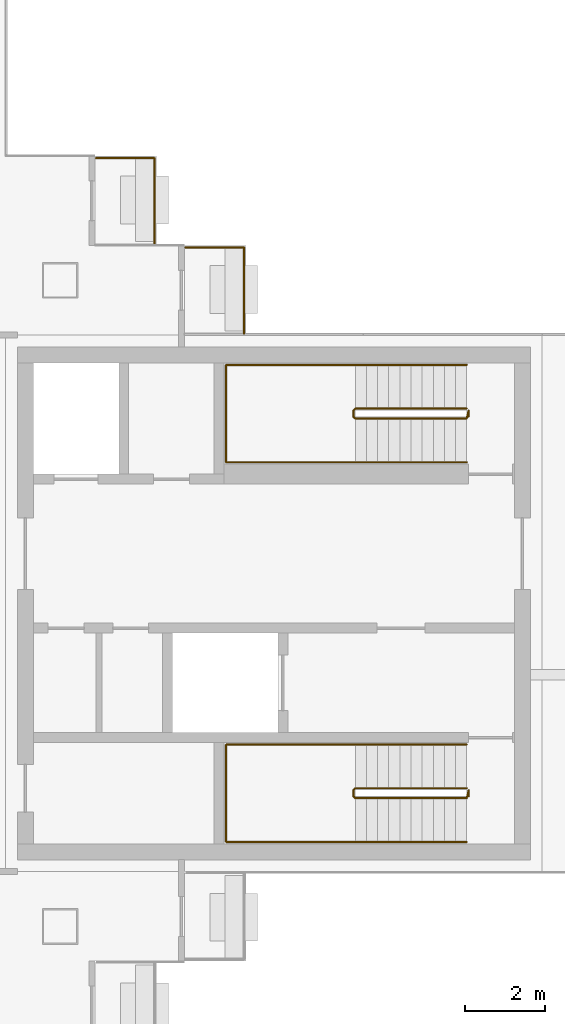
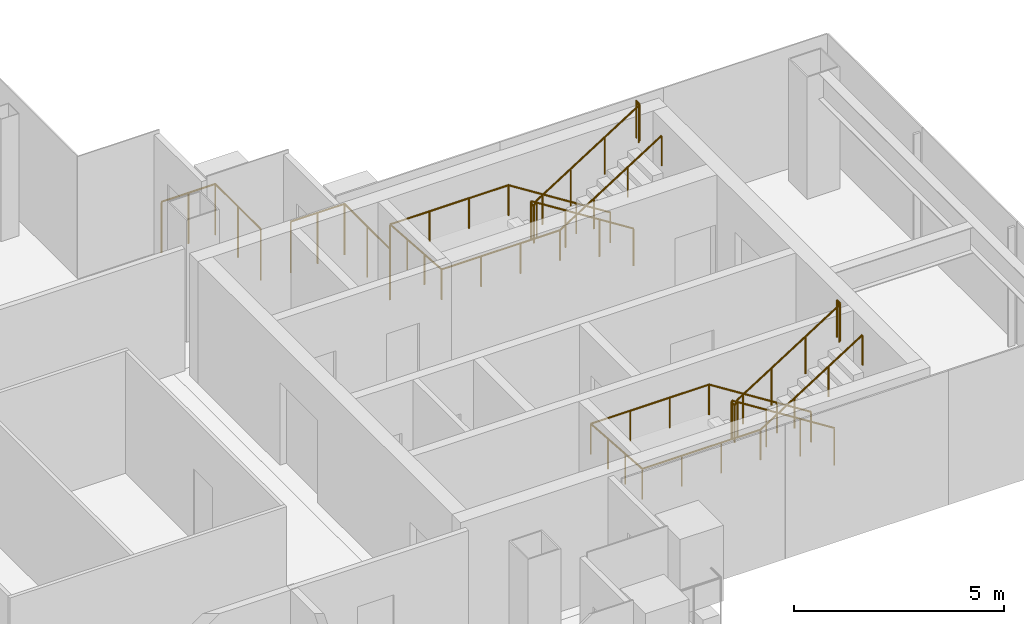
# One storey, part 15 of 16: 6 railings.
"""IFC4 building model written with IfcOpenShell, lengths in metres."""

from ifc_helpers import new_model, si_unit, direction, frame, origin, origin_2d, place, context, subcontext, project, spatial, circle, extrude, material, type_object, element, save


model = new_model("IFC4")

# Units and contexts
model_context = context("Model", 3, precision=1e-05, world=origin(), true_north=direction((0.0, 1.0)))
body_context = subcontext(model_context, "Body", "Model", "MODEL_VIEW")
ifc_project = project(units=[si_unit("LENGTHUNIT", "METRE"), si_unit("AREAUNIT", "SQUARE_METRE"), si_unit("VOLUMEUNIT", "CUBIC_METRE"), si_unit("PLANEANGLEUNIT", "RADIAN"), si_unit("MASSUNIT", "GRAM", prefix="KILO")], contexts=[model_context])

# Site, building, storey
site_placement = place(None, origin())
site = spatial("IfcSite", under=ifc_project, at=site_placement, CompositionType="ELEMENT")
building_placement = place(site_placement, origin())
building = spatial("IfcBuilding", under=site, at=building_placement, Name="Shamsa Quay Exchange Towers", CompositionType="ELEMENT")
storey_placement = place(building_placement, frame((0.0, 0.0, 242.10009765625)))
storey = spatial("IfcBuildingStorey", under=building, at=storey_placement, Name="L58", CompositionType="ELEMENT", Elevation=242.10009765625)

# Railings
ifc_material_1 = material(Name="Steel S355, black powder-coated", Category="steel")
railing_type_1 = type_object("IfcRailingType", Name="BALCONY GUARD 1500", PredefinedType="GUARDRAIL", material=ifc_material_1)
for number, where, name in (
    (1, (44.25, 9.0380859375, 0.0), "Balcony guard T2-PKES L58"),
    (2, (46.5, 6.7880859375, 0.0), "Balcony guard T2-PKES L58"),
):
    element("IfcRailing", number, at=place(storey_placement, frame(where)), inside=storey, type_object=railing_type_1, Name=name, PredefinedType="GUARDRAIL", context=body_context, shape_type="SweptSolid", body=[
        extrude(circle(Radius=0.02392578125, at=origin_2d()), frame((0.0, 0.0, 1.47607421875), z_axis=(0.0, 1.0, 0.0), x_axis=(-1.0, 0.0, 0.0)), (0.0, 0.0, 1.0), 2.161865234375),
        extrude(circle(Radius=0.02392578125, at=origin_2d()), frame((0.0, 2.161865234375, 1.47607421875), z_axis=(-1.0, 0.0, 0.0), x_axis=(0.0, -1.0, 0.0)), (0.0, 0.0, 1.0), 1.47900390625),
        extrude(circle(Radius=0.02099609375, at=origin_2d()), origin(), (0.0, 0.0, 1.0), 1.451904296875),
        extrude(circle(Radius=0.02099609375, at=origin_2d()), frame((0.0, 1.0810546875, 0.0)), (0.0, 0.0, 1.0), 1.451904296875),
        extrude(circle(Radius=0.02099609375, at=origin_2d()), frame((0.0, 2.161865234375, 0.0)), (0.0, 0.0, 1.0), 1.451904296875),
        extrude(circle(Radius=0.02099609375, at=origin_2d()), frame((-0.739501953125, 2.161865234375, 0.0)), (0.0, 0.0, 1.0), 1.451904296875),
        extrude(circle(Radius=0.02099609375, at=origin_2d()), frame((-1.47900390625, 2.161865234375, 0.0)), (0.0, 0.0, 1.0), 1.451904296875),
    ])
ifc_material_2 = material(Name="Stainless steel", Category="steel")
railing_type_2 = type_object("IfcRailingType", Name="STAIR GUARD 1100", PredefinedType="GUARDRAIL", material=ifc_material_2)
railing_1_placement = place(storey_placement, frame((52.10009765625, -4.64990234375, 0.17724609375)))
element("IfcRailing", 3, at=railing_1_placement, inside=storey, type_object=railing_type_2, Name="L58 ST5 stair guard 1", PredefinedType="GUARDRAIL", context=body_context, shape_type="SweptSolid", body=[
    extrude(circle(Radius=0.02392578125, at=origin_2d()), frame((0.0, 0.0, 1.076171875), z_axis=(-0.844908973607, 0.0, 0.534910110503), x_axis=(0.0, -1.0, 0.0)), (0.0, 0.0, 1.0), 3.31396484375),
    extrude(circle(Radius=0.02392578125, at=origin_2d()), frame((-2.800048828125, 0.0, 2.8486328125), z_axis=(-0.707106781187, -0.707106781187, 0.0), x_axis=(0.707106781187, -0.707106781187, 0.0)), (0.0, 0.0, 1.0), 0.07080078125),
    extrude(circle(Radius=0.02392578125, at=origin_2d()), frame((-2.85009765625, -0.050048828125, 2.8486328125), z_axis=(0.0, -1.0, 0.0), x_axis=(1.0, 0.0, 0.0)), (0.0, 0.0, 1.0), 0.150146484375),
    extrude(circle(Radius=0.02392578125, at=origin_2d()), frame((-2.85009765625, -0.2001953125, 2.8486328125), z_axis=(0.262321481514, -0.261041864531, 0.929001929653), x_axis=(0.705375805398, 0.708833529934, 0.0)), (0.0, 0.0, 1.0), 0.190673828125),
    extrude(circle(Radius=0.02392578125, at=origin_2d()), frame((-2.800048828125, -0.25, 3.02587890625), z_axis=(0.844908973607, 0.0, 0.534910110503), x_axis=(0.0, 1.0, 0.0)), (0.0, 0.0, 1.0), 3.31396484375),
    extrude(circle(Radius=0.02392578125, at=origin_2d()), frame((0.0, -0.25, 4.798828125), z_axis=(0.241699205484, 0.970351222016, 0.0), x_axis=(-0.970351222016, 0.241699205484, 0.0)), (0.0, 0.0, 1.0), 0.2060546875),
    extrude(circle(Radius=0.02392578125, at=origin_2d()), frame((0.0498046875, -0.050048828125, 4.798828125), z_axis=(0.0, -1.0, 0.0), x_axis=(1.0, 0.0, 0.0)), (0.0, 0.0, 1.0), 0.150146484375),
    extrude(circle(Radius=0.02099609375, at=origin_2d()), origin(), (0.0, 0.0, 1.0), 1.052001953125),
    extrude(circle(Radius=0.02099609375, at=origin_2d()), frame((-0.933349609375, 0.0, 0.5908203125)), (0.0, 0.0, 1.0), 1.052001953125),
    extrude(circle(Radius=0.02099609375, at=origin_2d()), frame((-1.86669921875, 0.0, 1.181884765625)), (0.0, 0.0, 1.0), 1.052001953125),
    extrude(circle(Radius=0.02099609375, at=origin_2d()), frame((-2.800048828125, 0.0, 1.772705078125)), (0.0, 0.0, 1.0), 1.052001953125),
    extrude(circle(Radius=0.02099609375, at=origin_2d()), frame((-2.85009765625, -0.050048828125, 1.772705078125)), (0.0, 0.0, 1.0), 1.052001953125),
    extrude(circle(Radius=0.02099609375, at=origin_2d()), frame((-2.85009765625, -0.2001953125, 1.772705078125)), (0.0, 0.0, 1.0), 1.052001953125),
    extrude(circle(Radius=0.02099609375, at=origin_2d()), frame((-2.800048828125, -0.25, 1.949951171875)), (0.0, 0.0, 1.0), 1.052001953125),
    extrude(circle(Radius=0.02099609375, at=origin_2d()), frame((-1.86669921875, -0.25, 2.540771484375)), (0.0, 0.0, 1.0), 1.052001953125),
    extrude(circle(Radius=0.02099609375, at=origin_2d()), frame((-0.933349609375, -0.25, 3.1318359375)), (0.0, 0.0, 1.0), 1.052001953125),
    extrude(circle(Radius=0.02099609375, at=origin_2d()), frame((0.0, -0.25, 3.72265625)), (0.0, 0.0, 1.0), 1.052001953125),
    extrude(circle(Radius=0.02099609375, at=origin_2d()), frame((0.0498046875, -0.050048828125, 3.72265625)), (0.0, 0.0, 1.0), 1.052001953125),
    extrude(circle(Radius=0.02099609375, at=origin_2d()), frame((0.0498046875, -0.2001953125, 3.72265625)), (0.0, 0.0, 1.0), 1.052001953125),
])
railing_2_placement = place(storey_placement, frame((52.10009765625, 4.89990234375, 0.17724609375)))
element("IfcRailing", 4, at=railing_2_placement, inside=storey, type_object=railing_type_2, Name="L58 ST6 stair guard 1", PredefinedType="GUARDRAIL", context=body_context, shape_type="SweptSolid", body=[
    extrude(circle(Radius=0.02392578125, at=origin_2d()), frame((0.0, 0.0, 1.076171875), z_axis=(-0.844908973607, 0.0, 0.534910110503), x_axis=(0.0, -1.0, 0.0)), (0.0, 0.0, 1.0), 3.31396484375),
    extrude(circle(Radius=0.02392578125, at=origin_2d()), frame((-2.800048828125, 0.0, 2.8486328125), z_axis=(-0.708833529934, -0.705375805398, 0.0), x_axis=(0.705375805398, -0.708833529934, 0.0)), (0.0, 0.0, 1.0), 0.070556640625),
    extrude(circle(Radius=0.02392578125, at=origin_2d()), frame((-2.85009765625, -0.0498046875, 2.8486328125), z_axis=(0.0, -1.0, 0.0), x_axis=(1.0, 0.0, 0.0)), (0.0, 0.0, 1.0), 0.150146484375),
    extrude(circle(Radius=0.02392578125, at=origin_2d()), frame((-2.85009765625, -0.199951171875, 2.8486328125), z_axis=(0.262233686654, -0.262233686654, 0.928691007369), x_axis=(0.707106781187, 0.707106781187, 0.0)), (0.0, 0.0, 1.0), 0.19091796875),
    extrude(circle(Radius=0.02392578125, at=origin_2d()), frame((-2.800048828125, -0.25, 3.02587890625), z_axis=(0.844908973607, 0.0, 0.534910110503), x_axis=(0.0, 1.0, 0.0)), (0.0, 0.0, 1.0), 3.31396484375),
    extrude(circle(Radius=0.02392578125, at=origin_2d()), frame((0.0, -0.25, 4.798828125), z_axis=(0.24142163986, 0.970420317083, 0.0), x_axis=(-0.970420317083, 0.24142163986, 0.0)), (0.0, 0.0, 1.0), 0.206298828125),
    extrude(circle(Radius=0.02392578125, at=origin_2d()), frame((0.0498046875, -0.0498046875, 4.798828125), z_axis=(0.0, -1.0, 0.0), x_axis=(1.0, 0.0, 0.0)), (0.0, 0.0, 1.0), 0.150146484375),
    extrude(circle(Radius=0.02099609375, at=origin_2d()), origin(), (0.0, 0.0, 1.0), 1.052001953125),
    extrude(circle(Radius=0.02099609375, at=origin_2d()), frame((-0.933349609375, 0.0, 0.5908203125)), (0.0, 0.0, 1.0), 1.052001953125),
    extrude(circle(Radius=0.02099609375, at=origin_2d()), frame((-1.86669921875, 0.0, 1.181884765625)), (0.0, 0.0, 1.0), 1.052001953125),
    extrude(circle(Radius=0.02099609375, at=origin_2d()), frame((-2.800048828125, 0.0, 1.772705078125)), (0.0, 0.0, 1.0), 1.052001953125),
    extrude(circle(Radius=0.02099609375, at=origin_2d()), frame((-2.85009765625, -0.0498046875, 1.772705078125)), (0.0, 0.0, 1.0), 1.052001953125),
    extrude(circle(Radius=0.02099609375, at=origin_2d()), frame((-2.85009765625, -0.199951171875, 1.772705078125)), (0.0, 0.0, 1.0), 1.052001953125),
    extrude(circle(Radius=0.02099609375, at=origin_2d()), frame((-2.800048828125, -0.25, 1.949951171875)), (0.0, 0.0, 1.0), 1.052001953125),
    extrude(circle(Radius=0.02099609375, at=origin_2d()), frame((-1.86669921875, -0.25, 2.540771484375)), (0.0, 0.0, 1.0), 1.052001953125),
    extrude(circle(Radius=0.02099609375, at=origin_2d()), frame((-0.933349609375, -0.25, 3.1318359375)), (0.0, 0.0, 1.0), 1.052001953125),
    extrude(circle(Radius=0.02099609375, at=origin_2d()), frame((0.0, -0.25, 3.72265625)), (0.0, 0.0, 1.0), 1.052001953125),
    extrude(circle(Radius=0.02099609375, at=origin_2d()), frame((0.0498046875, -0.0498046875, 3.72265625)), (0.0, 0.0, 1.0), 1.052001953125),
    extrude(circle(Radius=0.02099609375, at=origin_2d()), frame((0.0498046875, -0.199951171875, 3.72265625)), (0.0, 0.0, 1.0), 1.052001953125),
])
railing_type_3 = type_object("IfcRailingType", Name="STAIR HANDRAIL 900", PredefinedType="HANDRAIL", material=ifc_material_2)
railing_3_placement = place(storey_placement, frame((52.10009765625, -3.550048828125, 0.17724609375)))
element("IfcRailing", 5, at=railing_3_placement, inside=storey, type_object=railing_type_3, Name="L58 ST5 stair handrail 1", PredefinedType="HANDRAIL", context=body_context, shape_type="SweptSolid", body=[
    extrude(circle(Radius=0.02392578125, at=origin_2d()), frame((0.0, 0.0, 0.8759765625), z_axis=(-0.844908973607, 0.0, 0.534910110503), x_axis=(0.0, -1.0, 0.0)), (0.0, 0.0, 1.0), 3.31396484375),
    extrude(circle(Radius=0.02392578125, at=origin_2d()), frame((-2.800048828125, 0.0, 2.6484375), z_axis=(-1.0, 0.0, 0.0), x_axis=(0.0, -1.0, 0.0)), (0.0, 0.0, 1.0), 3.25),
    extrude(circle(Radius=0.02392578125, at=origin_2d()), frame((-6.050048828125, 0.0, 2.6484375), z_axis=(0.0, -0.997393199914, 0.07215819264), x_axis=(1.0, 0.0, 0.0)), (0.0, 0.0, 1.0), 2.456298828125),
    extrude(circle(Radius=0.02392578125, at=origin_2d()), frame((-6.050048828125, -2.449951171875, 2.82568359375), z_axis=(1.0, 0.0, 0.0), x_axis=(0.0, 1.0, 0.0)), (0.0, 0.0, 1.0), 3.25),
    extrude(circle(Radius=0.02392578125, at=origin_2d()), frame((-2.800048828125, -2.449951171875, 2.82568359375), z_axis=(0.844908973607, 0.0, 0.534910110503), x_axis=(0.0, 1.0, 0.0)), (0.0, 0.0, 1.0), 3.31396484375),
    extrude(circle(Radius=0.02099609375, at=origin_2d()), origin(), (0.0, 0.0, 1.0), 0.851806640625),
    extrude(circle(Radius=0.02099609375, at=origin_2d()), frame((-0.933349609375, 0.0, 0.5908203125)), (0.0, 0.0, 1.0), 0.851806640625),
    extrude(circle(Radius=0.02099609375, at=origin_2d()), frame((-1.86669921875, 0.0, 1.181884765625)), (0.0, 0.0, 1.0), 0.851806640625),
    extrude(circle(Radius=0.02099609375, at=origin_2d()), frame((-2.800048828125, 0.0, 1.772705078125)), (0.0, 0.0, 1.0), 0.851806640625),
    extrude(circle(Radius=0.02099609375, at=origin_2d()), frame((-3.88330078125, 0.0, 1.772705078125)), (0.0, 0.0, 1.0), 0.851806640625),
    extrude(circle(Radius=0.02099609375, at=origin_2d()), frame((-4.966796875, 0.0, 1.772705078125)), (0.0, 0.0, 1.0), 0.851806640625),
    extrude(circle(Radius=0.02099609375, at=origin_2d()), frame((-6.050048828125, 0.0, 1.772705078125)), (0.0, 0.0, 1.0), 0.851806640625),
    extrude(circle(Radius=0.02099609375, at=origin_2d()), frame((-6.050048828125, -0.816650390625, 1.831787109375)), (0.0, 0.0, 1.0), 0.851806640625),
    extrude(circle(Radius=0.02099609375, at=origin_2d()), frame((-6.050048828125, -1.63330078125, 1.890869140625)), (0.0, 0.0, 1.0), 0.851806640625),
    extrude(circle(Radius=0.02099609375, at=origin_2d()), frame((-6.050048828125, -2.449951171875, 1.949951171875)), (0.0, 0.0, 1.0), 0.851806640625),
    extrude(circle(Radius=0.02099609375, at=origin_2d()), frame((-4.966796875, -2.449951171875, 1.949951171875)), (0.0, 0.0, 1.0), 0.851806640625),
    extrude(circle(Radius=0.02099609375, at=origin_2d()), frame((-3.88330078125, -2.449951171875, 1.949951171875)), (0.0, 0.0, 1.0), 0.851806640625),
    extrude(circle(Radius=0.02099609375, at=origin_2d()), frame((-2.800048828125, -2.449951171875, 1.949951171875)), (0.0, 0.0, 1.0), 0.851806640625),
    extrude(circle(Radius=0.02099609375, at=origin_2d()), frame((-1.86669921875, -2.449951171875, 2.540771484375)), (0.0, 0.0, 1.0), 0.851806640625),
    extrude(circle(Radius=0.02099609375, at=origin_2d()), frame((-0.933349609375, -2.449951171875, 3.1318359375)), (0.0, 0.0, 1.0), 0.851806640625),
    extrude(circle(Radius=0.02099609375, at=origin_2d()), frame((0.0, -2.449951171875, 3.72265625)), (0.0, 0.0, 1.0), 0.851806640625),
])
railing_4_placement = place(storey_placement, frame((52.10009765625, 6.0, 0.17724609375)))
element("IfcRailing", 6, at=railing_4_placement, inside=storey, type_object=railing_type_3, Name="L58 ST6 stair handrail 1", PredefinedType="HANDRAIL", context=body_context, shape_type="SweptSolid", body=[
    extrude(circle(Radius=0.02392578125, at=origin_2d()), frame((0.0, 0.0, 0.8759765625), z_axis=(-0.844908973607, 0.0, 0.534910110503), x_axis=(0.0, -1.0, 0.0)), (0.0, 0.0, 1.0), 3.31396484375),
    extrude(circle(Radius=0.02392578125, at=origin_2d()), frame((-2.800048828125, 0.0, 2.6484375), z_axis=(-1.0, 0.0, 0.0), x_axis=(0.0, -1.0, 0.0)), (0.0, 0.0, 1.0), 3.25),
    extrude(circle(Radius=0.02392578125, at=origin_2d()), frame((-6.050048828125, 0.0, 2.6484375), z_axis=(0.0, -0.997393199914, 0.07215819264), x_axis=(1.0, 0.0, 0.0)), (0.0, 0.0, 1.0), 2.456298828125),
    extrude(circle(Radius=0.02392578125, at=origin_2d()), frame((-6.050048828125, -2.449951171875, 2.82568359375), z_axis=(1.0, 0.0, 0.0), x_axis=(0.0, 1.0, 0.0)), (0.0, 0.0, 1.0), 3.25),
    extrude(circle(Radius=0.02392578125, at=origin_2d()), frame((-2.800048828125, -2.449951171875, 2.82568359375), z_axis=(0.844908973607, 0.0, 0.534910110503), x_axis=(0.0, 1.0, 0.0)), (0.0, 0.0, 1.0), 3.31396484375),
    extrude(circle(Radius=0.02099609375, at=origin_2d()), origin(), (0.0, 0.0, 1.0), 0.851806640625),
    extrude(circle(Radius=0.02099609375, at=origin_2d()), frame((-0.933349609375, 0.0, 0.5908203125)), (0.0, 0.0, 1.0), 0.851806640625),
    extrude(circle(Radius=0.02099609375, at=origin_2d()), frame((-1.86669921875, 0.0, 1.181884765625)), (0.0, 0.0, 1.0), 0.851806640625),
    extrude(circle(Radius=0.02099609375, at=origin_2d()), frame((-2.800048828125, 0.0, 1.772705078125)), (0.0, 0.0, 1.0), 0.851806640625),
    extrude(circle(Radius=0.02099609375, at=origin_2d()), frame((-3.88330078125, 0.0, 1.772705078125)), (0.0, 0.0, 1.0), 0.851806640625),
    extrude(circle(Radius=0.02099609375, at=origin_2d()), frame((-4.966796875, 0.0, 1.772705078125)), (0.0, 0.0, 1.0), 0.851806640625),
    extrude(circle(Radius=0.02099609375, at=origin_2d()), frame((-6.050048828125, 0.0, 1.772705078125)), (0.0, 0.0, 1.0), 0.851806640625),
    extrude(circle(Radius=0.02099609375, at=origin_2d()), frame((-6.050048828125, -0.816650390625, 1.831787109375)), (0.0, 0.0, 1.0), 0.851806640625),
    extrude(circle(Radius=0.02099609375, at=origin_2d()), frame((-6.050048828125, -1.63330078125, 1.890869140625)), (0.0, 0.0, 1.0), 0.851806640625),
    extrude(circle(Radius=0.02099609375, at=origin_2d()), frame((-6.050048828125, -2.449951171875, 1.949951171875)), (0.0, 0.0, 1.0), 0.851806640625),
    extrude(circle(Radius=0.02099609375, at=origin_2d()), frame((-4.966796875, -2.449951171875, 1.949951171875)), (0.0, 0.0, 1.0), 0.851806640625),
    extrude(circle(Radius=0.02099609375, at=origin_2d()), frame((-3.88330078125, -2.449951171875, 1.949951171875)), (0.0, 0.0, 1.0), 0.851806640625),
    extrude(circle(Radius=0.02099609375, at=origin_2d()), frame((-2.800048828125, -2.449951171875, 1.949951171875)), (0.0, 0.0, 1.0), 0.851806640625),
    extrude(circle(Radius=0.02099609375, at=origin_2d()), frame((-1.86669921875, -2.449951171875, 2.540771484375)), (0.0, 0.0, 1.0), 0.851806640625),
    extrude(circle(Radius=0.02099609375, at=origin_2d()), frame((-0.933349609375, -2.449951171875, 3.1318359375)), (0.0, 0.0, 1.0), 0.851806640625),
    extrude(circle(Radius=0.02099609375, at=origin_2d()), frame((0.0, -2.449951171875, 3.72265625)), (0.0, 0.0, 1.0), 0.851806640625),
])

save(model, "model.ifc")
